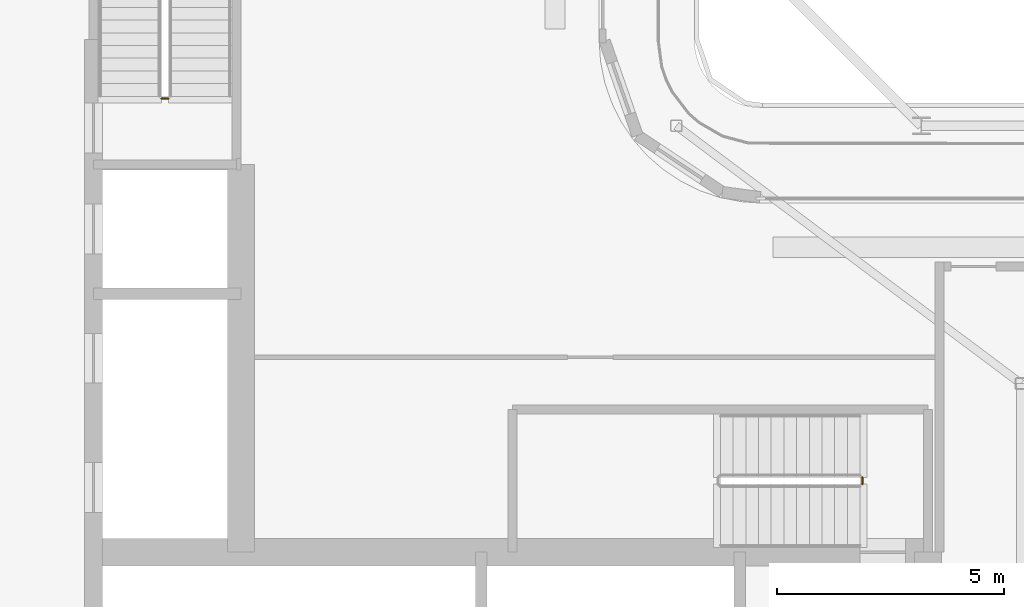
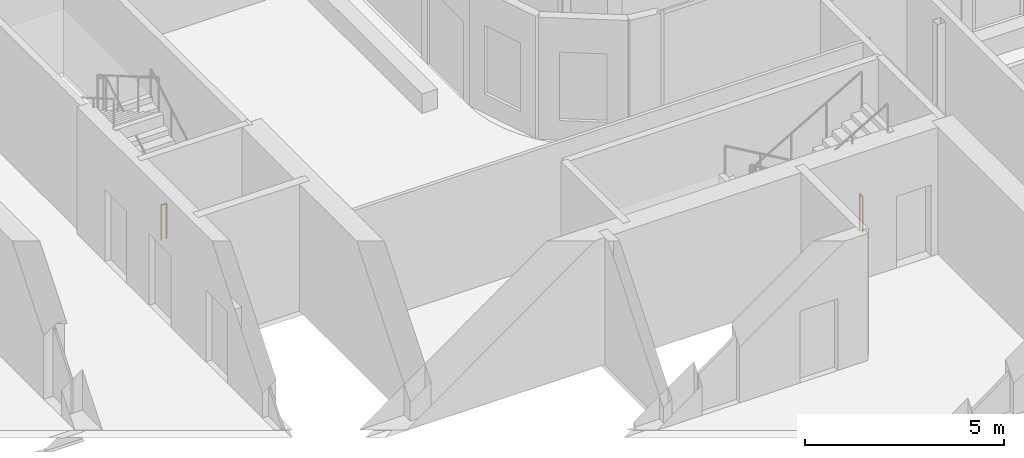
# One storey, part 17 of 21: 2 railings.
"""IFC4 building model written with IfcOpenShell, lengths in metres."""

import ifcopenshell
import ifcopenshell.guid

model = None  # the IFC model being written
_history = None  # IfcOwnerHistory: only IFC2X3 demands one
_inside = {}  # id of a spatial element -> (the spatial element, [elements in it])
_under = {}  # id of a project, library or spatial element -> (it, [spatial elements below it])
_declared = {}  # id of a project -> (the project, [libraries it declares])
_typed = {}  # id of a type object -> (the type object, [elements of that type])
_made_of = {}  # id of a material, layer set ... -> (it, [elements and type objects made of it])


def new_model(schema):
    """Start an empty IFC model of exactly this schema.

    Asked for "IFC4X3", IfcOpenShell would pick the latest addendum, in which some entities
    have other attributes; the version numbers below select the first issue.
    IFC2X3 requires an IfcOwnerHistory on every rooted entity: one is made here for all.
    """
    global model, _history
    if schema == "IFC4X3":
        model = ifcopenshell.file(schema_version=(4, 3, 0, 0))
    else:
        model = ifcopenshell.file(schema=schema)
    _inside.clear()
    _under.clear()
    _declared.clear()
    _typed.clear()
    _made_of.clear()
    _history = None
    if model.schema == "IFC2X3":
        org = make("IfcOrganization", Name="unknown")
        user = make(
            "IfcPersonAndOrganization",
            ThePerson=make("IfcPerson", FamilyName="unknown"),
            TheOrganization=org,
        )
        app = make(
            "IfcApplication",
            ApplicationDeveloper=org,
            Version="unknown",
            ApplicationFullName="unknown",
            ApplicationIdentifier="unknown",
        )
        _history = make(
            "IfcOwnerHistory",
            OwningUser=user,
            OwningApplication=app,
            ChangeAction="ADDED",
            CreationDate=0,
        )
    return model


def make(cls, **values):
    """One entity of the class cls with the attributes given. An attribute that is None is left unset."""
    return model.create_entity(
        cls, **{name: value for name, value in values.items() if value is not None}
    )


def rooted(cls, **values):
    """An entity with a GlobalId (a new one), such as an element, a storey or a relation."""
    return make(cls, GlobalId=ifcopenshell.guid.new(), OwnerHistory=_history, **values)


def si_unit(unit_type, name, prefix=None):
    """IfcSIUnit, for example si_unit("LENGTHUNIT", "METRE", prefix="MILLI")."""
    return make("IfcSIUnit", UnitType=unit_type, Prefix=prefix, Name=name)


def assignment(units):
    """IfcUnitAssignment: the units of a project."""
    return None if units is None else make("IfcUnitAssignment", Units=units)


def point(xyz):
    """IfcCartesianPoint."""
    return None if xyz is None else make("IfcCartesianPoint", Coordinates=xyz)


def direction(xyz):
    """IfcDirection."""
    return None if xyz is None else make("IfcDirection", DirectionRatios=xyz)


def frame(location, z_axis=None, x_axis=None):
    """IfcAxis2Placement3D, a coordinate frame: its origin and axes. An axis left out is left unset."""
    return make(
        "IfcAxis2Placement3D",
        Location=point(location),
        Axis=direction(z_axis),
        RefDirection=direction(x_axis),
    )


def frame_2d(location, x_axis=None):
    """IfcAxis2Placement2D, a coordinate frame in the plane: its origin and x axis."""
    return make(
        "IfcAxis2Placement2D", Location=point(location), RefDirection=direction(x_axis)
    )


def origin():
    """The frame at (0, 0, 0) with its axes left unset."""
    return frame((0.0, 0.0, 0.0))


def origin_2d():
    """The frame at (0, 0) in the plane with its x axis left unset."""
    return frame_2d((0.0, 0.0))


def place(relative_to, where):
    """IfcLocalPlacement: puts the frame where relative to a parent placement (None: the world)."""
    return make(
        "IfcLocalPlacement", PlacementRelTo=relative_to, RelativePlacement=where
    )


def context(
    kind, dimensions, precision=None, world=None, true_north=None, identifier=None
):
    """IfcGeometricRepresentationContext, for example the 3D "Model" context."""
    return make(
        "IfcGeometricRepresentationContext",
        ContextIdentifier=identifier,
        ContextType=kind,
        CoordinateSpaceDimension=dimensions,
        Precision=precision,
        WorldCoordinateSystem=world,
        TrueNorth=true_north,
    )


def subcontext(parent, identifier, kind, view, scale=None):
    """IfcGeometricRepresentationSubContext, for example "Body" below "Model"."""
    return make(
        "IfcGeometricRepresentationSubContext",
        ContextIdentifier=identifier,
        ContextType=kind,
        ParentContext=parent,
        TargetScale=scale,
        TargetView=view,
    )


def project(units=None, contexts=None):
    """IfcProject with its units and contexts."""
    return rooted(
        "IfcProject",
        Name="project",
        RepresentationContexts=contexts,
        UnitsInContext=assignment(units),
    )


def spatial(cls, under=None, at=None, **own):
    """A site, building, storey or space (cls), placed at a placement, below another one or the project."""
    s = rooted(cls, ObjectPlacement=at, **own)
    if under is not None:
        _under.setdefault(under.id(), (under, []))[1].append(s)
    return s


def profile(cls, at=None, kind="AREA", **sizes):
    """A parametric profile (cls). Its sizes go by their IFC names, for example OverallWidth=200.0."""
    return make(cls, ProfileType=kind, Position=at, **sizes)


def circle(**sizes):
    """IfcCircleProfileDef."""
    return profile("IfcCircleProfileDef", **sizes)


def extrude(swept, where, along, depth):
    """IfcExtrudedAreaSolid: the profile swept, set in the frame where, extruded along a direction by depth."""
    return make(
        "IfcExtrudedAreaSolid",
        SweptArea=swept,
        Position=where,
        ExtrudedDirection=direction(along),
        Depth=depth,
    )


def shape(context_of_items, identifier, shape_type, items):
    """IfcShapeRepresentation: the items that make up one representation, for example the "Body"."""
    return make(
        "IfcShapeRepresentation",
        ContextOfItems=context_of_items,
        RepresentationIdentifier=identifier,
        RepresentationType=shape_type,
        Items=items,
    )


def material(Name=None, Category=None):
    """IfcMaterial."""
    return make("IfcMaterial", Name=Name, Category=Category)


def made_of(thing, what):
    """Note that an element or type object is made of a material, layer set ...; save() writes the relation."""
    if what is not None:
        _made_of.setdefault(what.id(), (what, []))[1].append(thing)
    return thing


def type_object(cls, material=None, **own):
    """A type object (cls), such as IfcWallType, which elements share."""
    return made_of(rooted(cls, **own), material)


def element(
    cls,
    number,
    at=None,
    inside=None,
    cuts=None,
    type_object=None,
    material=None,
    context=None,
    identifier="Body",
    shape_type=None,
    held_by="IfcProductDefinitionShape",
    body=None,
    shapes=None,
    **own,
):
    """One element of the class cls, such as IfcWall. Its Tag is "e" and its number.

    at: its placement. inside: the storey or other place that contains it. cuts: it is an
    opening in that element (IfcRelVoidsElement). A single representation is given by context,
    identifier, shape_type and body (its items); several are given by shapes. held_by: the class
    of the entity that holds the representations. save() writes the other relations.
    """
    e = rooted(cls, Tag="e%d" % number, ObjectPlacement=at, **own)
    if body is not None:
        shapes = [shape(context, identifier, shape_type, body)]
    if shapes is not None:
        e.Representation = make(held_by, Representations=shapes)
    if inside is not None:
        _inside.setdefault(inside.id(), (inside, []))[1].append(e)
    if cuts is not None:
        rooted(
            "IfcRelVoidsElement", RelatingBuildingElement=cuts, RelatedOpeningElement=e
        )
    if type_object is not None:
        _typed.setdefault(type_object.id(), (type_object, []))[1].append(e)
    return made_of(e, material)


def aggregate(whole, parts):
    """IfcRelAggregates: a whole, such as a stair, and the parts it consists of."""
    return rooted("IfcRelAggregates", RelatingObject=whole, RelatedObjects=parts)


def save(model, path):
    """Write the relations noted so far, then the file.

    IfcRelAggregates (storeys below a building ...), IfcRelContainedInSpatialStructure (elements
    in a storey), IfcRelDefinesByType, IfcRelAssociatesMaterial and IfcRelDeclares: one each for
    every whole, place, type object, material and project.
    """
    for whole, parts in _under.values():
        aggregate(whole, parts)
    for where, things in _inside.values():
        rooted(
            "IfcRelContainedInSpatialStructure",
            RelatedElements=things,
            RelatingStructure=where,
        )
    for kind, things in _typed.values():
        rooted("IfcRelDefinesByType", RelatedObjects=things, RelatingType=kind)
    for what, things in _made_of.values():
        rooted("IfcRelAssociatesMaterial", RelatedObjects=things, RelatingMaterial=what)
    for by, libraries in _declared.values():
        rooted("IfcRelDeclares", RelatingContext=by, RelatedDefinitions=libraries)
    model.write(path)


model = new_model("IFC4")

# Units and contexts
model_context = context("Model", 3, precision=1e-05, world=origin(), true_north=direction((0.0, 1.0)))
body_context = subcontext(model_context, "Body", "Model", "MODEL_VIEW")
ifc_project = project(units=[si_unit("LENGTHUNIT", "METRE"), si_unit("AREAUNIT", "SQUARE_METRE"), si_unit("VOLUMEUNIT", "CUBIC_METRE"), si_unit("PLANEANGLEUNIT", "RADIAN"), si_unit("MASSUNIT", "GRAM", prefix="KILO")], contexts=[model_context])

# Site, building, storey
site_placement = place(None, origin())
site = spatial("IfcSite", under=ifc_project, at=site_placement, CompositionType="ELEMENT")
building_placement = place(site_placement, origin())
building = spatial("IfcBuilding", under=site, at=building_placement, Name="Kheshtan School and Residences Tower", CompositionType="ELEMENT")
storey_placement = place(building_placement, frame((0.0, 0.0, 317.60009765625)))
storey = spatial("IfcBuildingStorey", under=building, at=storey_placement, Name="L75", CompositionType="ELEMENT", Elevation=317.60009765625)

# Railings
ifc_material = material(Name="Stainless steel balustrade", Category="steel")
railing_type = type_object("IfcRailingType", Name="Stair guard 1100", PredefinedType="GUARDRAIL", material=ifc_material)
railing_1_placement = place(storey_placement, frame((51.699951171875, 37.85009765625, 0.0)))
element("IfcRailing", 1, at=railing_1_placement, inside=storey, type_object=railing_type, Name="L75 ST1 stair guard 2", PredefinedType="GUARDRAIL", context=body_context, shape_type="SweptSolid", body=[
    extrude(circle(Radius=0.02392578125, at=origin_2d()), frame((0.0, 0.0, 1.076171875), z_axis=(0.0, -1.0, 0.0), x_axis=(1.0, 0.0, 0.0)), (0.0, 0.0, 1.0), 0.150146484375),
    extrude(circle(Radius=0.02099609375, at=origin_2d()), origin(), (0.0, 0.0, 1.0), 1.052001953125),
    extrude(circle(Radius=0.02099609375, at=origin_2d()), frame((0.0, -0.150146484375, 0.0)), (0.0, 0.0, 1.0), 1.052001953125),
])
railing_2_placement = place(storey_placement, frame((36.39990234375, 46.199951171875, 0.0)))
element("IfcRailing", 2, at=railing_2_placement, inside=storey, type_object=railing_type, Name="L75 ST2 stair guard 2", PredefinedType="GUARDRAIL", context=body_context, shape_type="SweptSolid", body=[
    extrude(circle(Radius=0.02392578125, at=origin_2d()), frame((0.0, 0.0, 1.076171875), z_axis=(-1.0, 0.0, 0.0), x_axis=(0.0, -1.0, 0.0)), (0.0, 0.0, 1.0), 0.14990234375),
    extrude(circle(Radius=0.02099609375, at=origin_2d()), origin(), (0.0, 0.0, 1.0), 1.052001953125),
    extrude(circle(Radius=0.02099609375, at=origin_2d()), frame((-0.14990234375, 0.0, 0.0)), (0.0, 0.0, 1.0), 1.052001953125),
])

save(model, "model.ifc")
